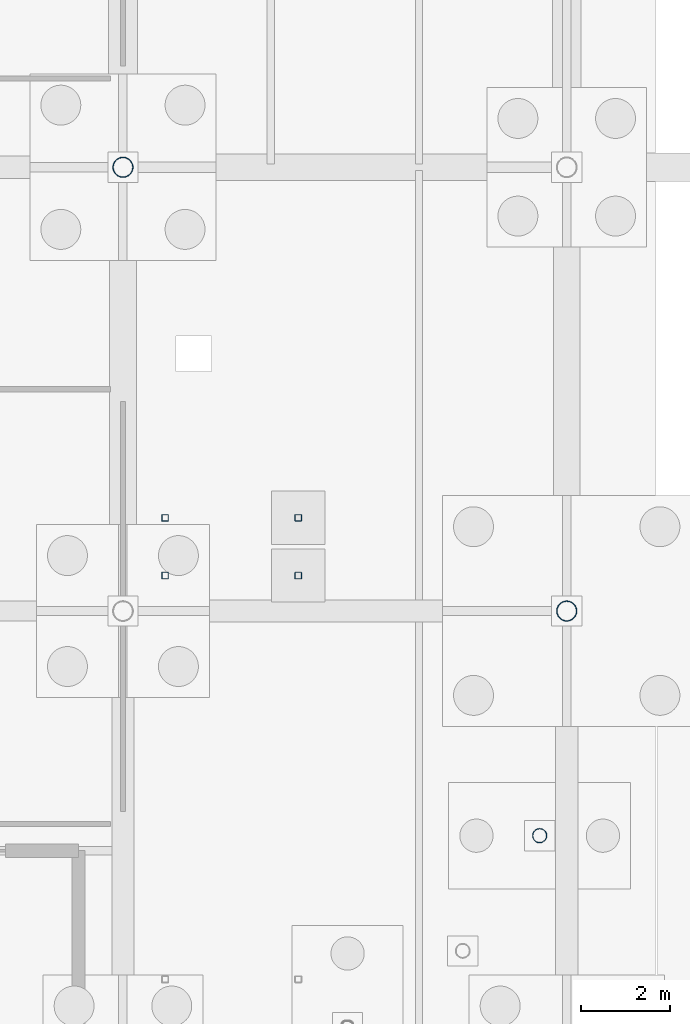
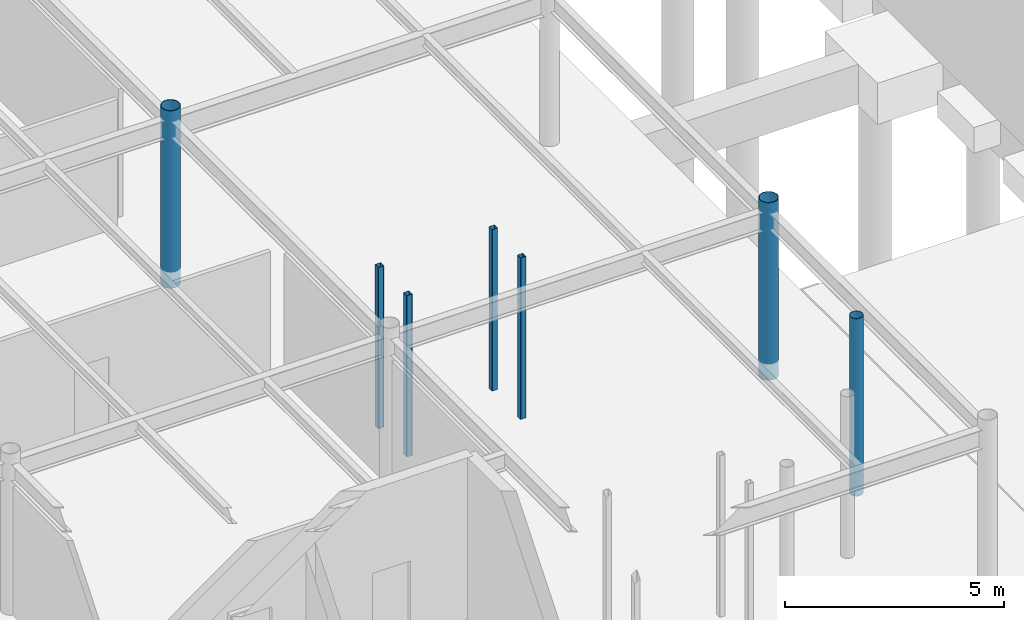
# One storey, part 42 of 75: 7 columns.
"""IFC4 building model written with IfcOpenShell, lengths in metres."""

from ifc_helpers import new_model, si_unit, derived_unit, direction, frame, origin, origin_2d_with_axis, place, context, subcontext, project, spatial, hollow_rectangle, hollow_circle, extrude, material, material_profile, profile_set, type_object, element, save


model = new_model("IFC4")

# Units and contexts
model_context = context("Model", 3, precision=1e-05, world=origin(), true_north=direction((0.0, 1.0)))
body_context = subcontext(model_context, "Body", "Model", "MODEL_VIEW")
ifc_project = project(units=[si_unit("LENGTHUNIT", "METRE"), si_unit("AREAUNIT", "SQUARE_METRE"), si_unit("VOLUMEUNIT", "CUBIC_METRE"), si_unit("PLANEANGLEUNIT", "RADIAN"), si_unit("MASSUNIT", "GRAM", prefix="KILO"), derived_unit("THERMALTRANSMITTANCEUNIT", [(si_unit("POWERUNIT", "WATT"), 1), (si_unit("LENGTHUNIT", "METRE"), -2), (si_unit("THERMODYNAMICTEMPERATUREUNIT", "KELVIN"), -1)])], contexts=[model_context])

# Site, building, storey
site_placement = place(None, origin())
site = spatial("IfcSite", under=ifc_project, at=site_placement, CompositionType="ELEMENT")
building_placement = place(site_placement, origin())
building = spatial("IfcBuilding", under=site, at=building_placement, Name="Cinnabar Yard Market Hall", CompositionType="ELEMENT")
storey_placement = place(building_placement, frame((0.0, 0.0, -4.5)))
storey = spatial("IfcBuildingStorey", under=building, at=storey_placement, Name="B1", CompositionType="ELEMENT", Elevation=-4.5)

# Columns
ifc_material_1 = material(Name="Spotted-gum glulam-clad steel Grade 350 (350 MPa)", Category="steel")
ifc_material_profile_1 = material_profile(ifc_material_1, hollow_circle(Radius=0.228515625, WallThickness=0.0126953125, at=origin_2d_with_axis()), Name="457.0x12.7CHS")
ifc_profile_set_1 = profile_set([ifc_material_profile_1], Name="Spotted-gum glulam-clad steel Grade 350 (350 MPa)")
column_type_1 = type_object("IfcColumnType", Name="COL-C01", PredefinedType="COLUMN", material=ifc_profile_set_1)
for number, where, z_axis, x_axis, name in (
    (1, (146.0, 44.0, -0.449951171875), (0.0, 0.0, 1.0), (1.0, 0.0, 0.0), "Tree Column V1I-08-03 B1"),
    (2, (156.0, 34.0, -0.449951171875), (0.0, 0.0, 1.0), (1.0, 0.0, 0.0), "Tree Column V1I-09-02 B1"),
):
    element("IfcColumn", number, at=place(storey_placement, frame(where, z_axis=z_axis, x_axis=x_axis)), inside=storey, type_object=column_type_1, Name=name, PredefinedType="COLUMN", context=body_context, shape_type="SweptSolid", body=[
        extrude(hollow_circle(Radius=0.228515625, WallThickness=0.0126953125, at=origin_2d_with_axis()), origin(), (0.0, 0.0, 1.0), 4.949951171875),
    ])
ifc_material_profile_2 = material_profile(ifc_material_1, hollow_circle(Radius=0.161865234375, WallThickness=0.009521484375, at=origin_2d_with_axis()), Name="323.9x9.5CHS")
ifc_profile_set_2 = profile_set([ifc_material_profile_2], Name="Spotted-gum glulam-clad steel Grade 350 (350 MPa)")
column_type_2 = type_object("IfcColumnType", Name="COL-C03", PredefinedType="COLUMN", material=ifc_profile_set_2)
column_placement = place(storey_placement, frame((155.39111328125, 28.9384765625, -0.449951171875), z_axis=(0.0, 0.0, 1.0), x_axis=(1.0, 0.0, 0.0)))
element("IfcColumn", 3, at=column_placement, inside=storey, type_object=column_type_2, Name="Tree Column V1IC-SE6 B1", PredefinedType="COLUMN", context=body_context, shape_type="SweptSolid", body=[
    extrude(hollow_circle(Radius=0.161865234375, WallThickness=0.009521484375, at=origin_2d_with_axis()), origin(), (0.0, 0.0, 1.0), 4.949951171875),
])
ifc_material_2 = material(Name="Cold-formed steel C350L0", Category="steel")
ifc_material_profile_3 = material_profile(ifc_material_2, hollow_rectangle(XDim=0.14990234375, YDim=0.14990234375, WallThickness=0.006103515625, InnerFilletRadius=0.006103515625, OuterFilletRadius=0.011962890625, at=origin_2d_with_axis()), Name="150x150x6.0SHS")
ifc_profile_set_3 = profile_set([ifc_material_profile_3], Name="Cold-formed steel C350L0")
column_type_3 = type_object("IfcColumnType", Name="COL-C16", PredefinedType="COLUMN", material=ifc_profile_set_3)
for number, where, z_axis, x_axis, name in (
    (4, (146.949951171875, 34.800048828125, 0.0), (0.0, 0.0, 1.0), (1.0, 0.0, 0.0), "Feature Stair Pier ST-F2-1"),
    (5, (149.949951171875, 34.800048828125, 0.0), (0.0, 0.0, 1.0), (1.0, 0.0, 0.0), "Feature Stair Pier ST-F2-2"),
    (6, (146.949951171875, 36.10009765625, 0.0), (0.0, 0.0, 1.0), (1.0, 0.0, 0.0), "Feature Stair Pier ST-F2-3"),
    (7, (149.949951171875, 36.10009765625, 0.0), (0.0, 0.0, 1.0), (1.0, 0.0, 0.0), "Feature Stair Pier ST-F2-4"),
):
    element("IfcColumn", number, at=place(storey_placement, frame(where, z_axis=z_axis, x_axis=x_axis)), inside=storey, type_object=column_type_3, Name=name, PredefinedType="COLUMN", context=body_context, shape_type="SweptSolid", body=[
        extrude(hollow_rectangle(XDim=0.14990234375, YDim=0.14990234375, WallThickness=0.006103515625, InnerFilletRadius=0.006103515625, OuterFilletRadius=0.011962890625, at=origin_2d_with_axis()), origin(), (0.0, 0.0, 1.0), 4.5),
    ])

save(model, "model.ifc")
